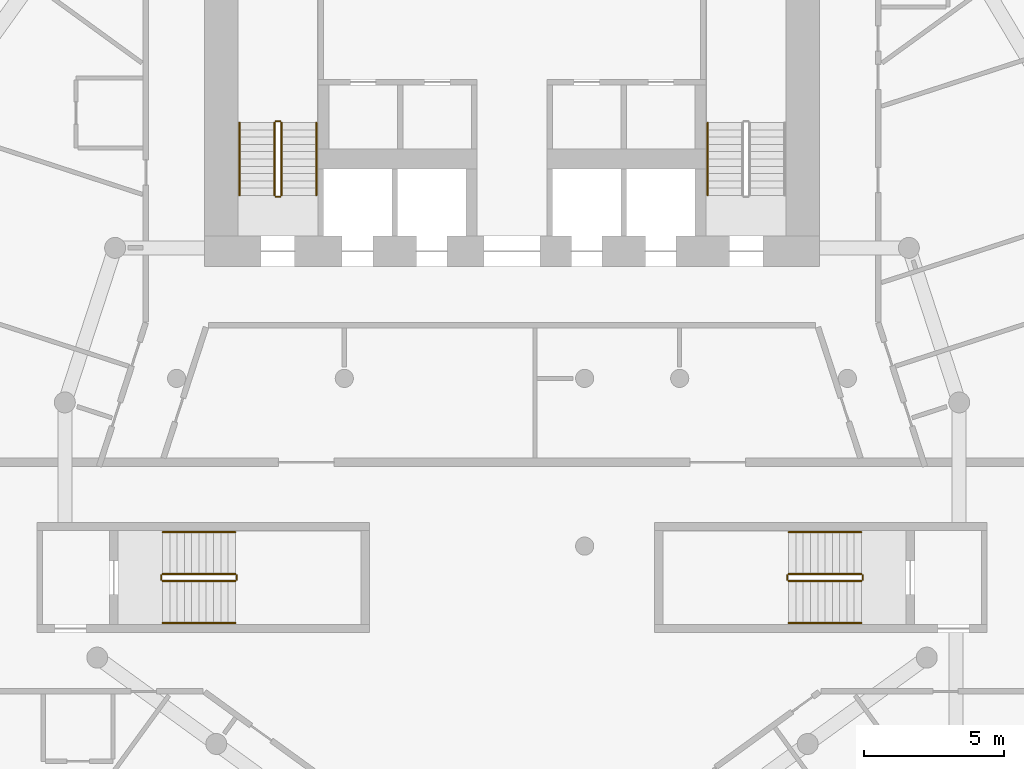
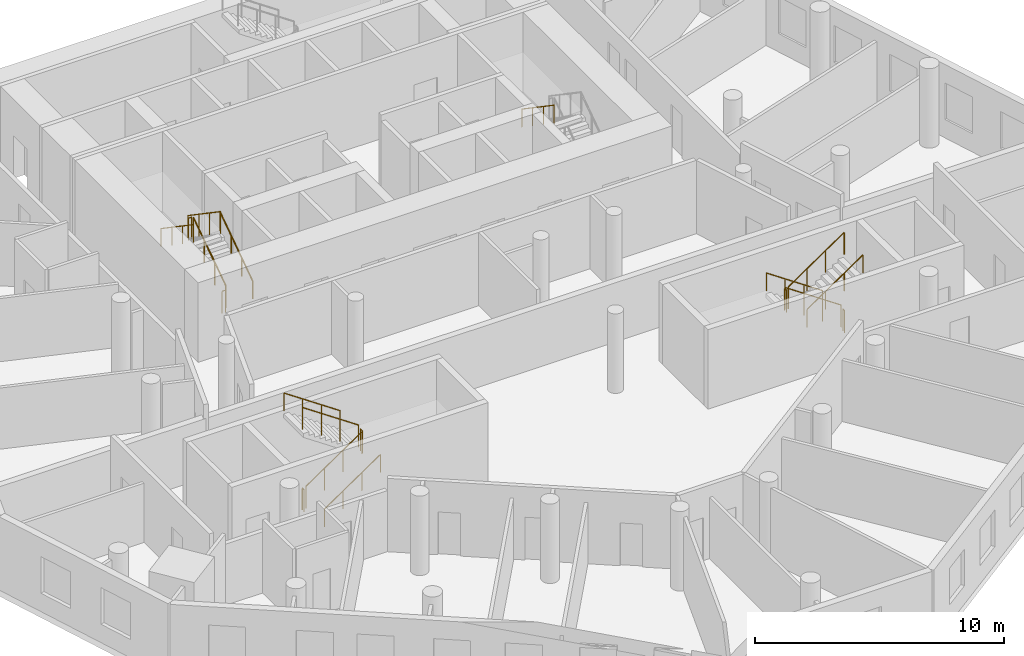
# One storey, part 8 of 9: 19 railings.
"""IFC4 building model written with IfcOpenShell, lengths in metres."""

import ifcopenshell
import ifcopenshell.guid

model = None  # the IFC model being written
_history = None  # IfcOwnerHistory: only IFC2X3 demands one
_inside = {}  # id of a spatial element -> (the spatial element, [elements in it])
_under = {}  # id of a project, library or spatial element -> (it, [spatial elements below it])
_declared = {}  # id of a project -> (the project, [libraries it declares])
_typed = {}  # id of a type object -> (the type object, [elements of that type])
_made_of = {}  # id of a material, layer set ... -> (it, [elements and type objects made of it])


def new_model(schema):
    """Start an empty IFC model of exactly this schema.

    Asked for "IFC4X3", IfcOpenShell would pick the latest addendum, in which some entities
    have other attributes; the version numbers below select the first issue.
    IFC2X3 requires an IfcOwnerHistory on every rooted entity: one is made here for all.
    """
    global model, _history
    if schema == "IFC4X3":
        model = ifcopenshell.file(schema_version=(4, 3, 0, 0))
    else:
        model = ifcopenshell.file(schema=schema)
    _inside.clear()
    _under.clear()
    _declared.clear()
    _typed.clear()
    _made_of.clear()
    _history = None
    if model.schema == "IFC2X3":
        org = make("IfcOrganization", Name="unknown")
        user = make(
            "IfcPersonAndOrganization",
            ThePerson=make("IfcPerson", FamilyName="unknown"),
            TheOrganization=org,
        )
        app = make(
            "IfcApplication",
            ApplicationDeveloper=org,
            Version="unknown",
            ApplicationFullName="unknown",
            ApplicationIdentifier="unknown",
        )
        _history = make(
            "IfcOwnerHistory",
            OwningUser=user,
            OwningApplication=app,
            ChangeAction="ADDED",
            CreationDate=0,
        )
    return model


def make(cls, **values):
    """One entity of the class cls with the attributes given. An attribute that is None is left unset."""
    return model.create_entity(
        cls, **{name: value for name, value in values.items() if value is not None}
    )


def rooted(cls, **values):
    """An entity with a GlobalId (a new one), such as an element, a storey or a relation."""
    return make(cls, GlobalId=ifcopenshell.guid.new(), OwnerHistory=_history, **values)


def si_unit(unit_type, name, prefix=None):
    """IfcSIUnit, for example si_unit("LENGTHUNIT", "METRE", prefix="MILLI")."""
    return make("IfcSIUnit", UnitType=unit_type, Prefix=prefix, Name=name)


def assignment(units):
    """IfcUnitAssignment: the units of a project."""
    return None if units is None else make("IfcUnitAssignment", Units=units)


def point(xyz):
    """IfcCartesianPoint."""
    return None if xyz is None else make("IfcCartesianPoint", Coordinates=xyz)


def direction(xyz):
    """IfcDirection."""
    return None if xyz is None else make("IfcDirection", DirectionRatios=xyz)


def frame(location, z_axis=None, x_axis=None):
    """IfcAxis2Placement3D, a coordinate frame: its origin and axes. An axis left out is left unset."""
    return make(
        "IfcAxis2Placement3D",
        Location=point(location),
        Axis=direction(z_axis),
        RefDirection=direction(x_axis),
    )


def frame_2d(location, x_axis=None):
    """IfcAxis2Placement2D, a coordinate frame in the plane: its origin and x axis."""
    return make(
        "IfcAxis2Placement2D", Location=point(location), RefDirection=direction(x_axis)
    )


def origin():
    """The frame at (0, 0, 0) with its axes left unset."""
    return frame((0.0, 0.0, 0.0))


def origin_2d():
    """The frame at (0, 0) in the plane with its x axis left unset."""
    return frame_2d((0.0, 0.0))


def place(relative_to, where):
    """IfcLocalPlacement: puts the frame where relative to a parent placement (None: the world)."""
    return make(
        "IfcLocalPlacement", PlacementRelTo=relative_to, RelativePlacement=where
    )


def context(
    kind, dimensions, precision=None, world=None, true_north=None, identifier=None
):
    """IfcGeometricRepresentationContext, for example the 3D "Model" context."""
    return make(
        "IfcGeometricRepresentationContext",
        ContextIdentifier=identifier,
        ContextType=kind,
        CoordinateSpaceDimension=dimensions,
        Precision=precision,
        WorldCoordinateSystem=world,
        TrueNorth=true_north,
    )


def subcontext(parent, identifier, kind, view, scale=None):
    """IfcGeometricRepresentationSubContext, for example "Body" below "Model"."""
    return make(
        "IfcGeometricRepresentationSubContext",
        ContextIdentifier=identifier,
        ContextType=kind,
        ParentContext=parent,
        TargetScale=scale,
        TargetView=view,
    )


def project(units=None, contexts=None):
    """IfcProject with its units and contexts."""
    return rooted(
        "IfcProject",
        Name="project",
        RepresentationContexts=contexts,
        UnitsInContext=assignment(units),
    )


def spatial(cls, under=None, at=None, **own):
    """A site, building, storey or space (cls), placed at a placement, below another one or the project."""
    s = rooted(cls, ObjectPlacement=at, **own)
    if under is not None:
        _under.setdefault(under.id(), (under, []))[1].append(s)
    return s


def profile(cls, at=None, kind="AREA", **sizes):
    """A parametric profile (cls). Its sizes go by their IFC names, for example OverallWidth=200.0."""
    return make(cls, ProfileType=kind, Position=at, **sizes)


def circle(**sizes):
    """IfcCircleProfileDef."""
    return profile("IfcCircleProfileDef", **sizes)


def extrude(swept, where, along, depth):
    """IfcExtrudedAreaSolid: the profile swept, set in the frame where, extruded along a direction by depth."""
    return make(
        "IfcExtrudedAreaSolid",
        SweptArea=swept,
        Position=where,
        ExtrudedDirection=direction(along),
        Depth=depth,
    )


def shape(context_of_items, identifier, shape_type, items):
    """IfcShapeRepresentation: the items that make up one representation, for example the "Body"."""
    return make(
        "IfcShapeRepresentation",
        ContextOfItems=context_of_items,
        RepresentationIdentifier=identifier,
        RepresentationType=shape_type,
        Items=items,
    )


def material(Name=None, Category=None):
    """IfcMaterial."""
    return make("IfcMaterial", Name=Name, Category=Category)


def made_of(thing, what):
    """Note that an element or type object is made of a material, layer set ...; save() writes the relation."""
    if what is not None:
        _made_of.setdefault(what.id(), (what, []))[1].append(thing)
    return thing


def type_object(cls, material=None, **own):
    """A type object (cls), such as IfcWallType, which elements share."""
    return made_of(rooted(cls, **own), material)


def element(
    cls,
    number,
    at=None,
    inside=None,
    cuts=None,
    type_object=None,
    material=None,
    context=None,
    identifier="Body",
    shape_type=None,
    held_by="IfcProductDefinitionShape",
    body=None,
    shapes=None,
    **own,
):
    """One element of the class cls, such as IfcWall. Its Tag is "e" and its number.

    at: its placement. inside: the storey or other place that contains it. cuts: it is an
    opening in that element (IfcRelVoidsElement). A single representation is given by context,
    identifier, shape_type and body (its items); several are given by shapes. held_by: the class
    of the entity that holds the representations. save() writes the other relations.
    """
    e = rooted(cls, Tag="e%d" % number, ObjectPlacement=at, **own)
    if body is not None:
        shapes = [shape(context, identifier, shape_type, body)]
    if shapes is not None:
        e.Representation = make(held_by, Representations=shapes)
    if inside is not None:
        _inside.setdefault(inside.id(), (inside, []))[1].append(e)
    if cuts is not None:
        rooted(
            "IfcRelVoidsElement", RelatingBuildingElement=cuts, RelatedOpeningElement=e
        )
    if type_object is not None:
        _typed.setdefault(type_object.id(), (type_object, []))[1].append(e)
    return made_of(e, material)


def aggregate(whole, parts):
    """IfcRelAggregates: a whole, such as a stair, and the parts it consists of."""
    return rooted("IfcRelAggregates", RelatingObject=whole, RelatedObjects=parts)


def save(model, path):
    """Write the relations noted so far, then the file.

    IfcRelAggregates (storeys below a building ...), IfcRelContainedInSpatialStructure (elements
    in a storey), IfcRelDefinesByType, IfcRelAssociatesMaterial and IfcRelDeclares: one each for
    every whole, place, type object, material and project.
    """
    for whole, parts in _under.values():
        aggregate(whole, parts)
    for where, things in _inside.values():
        rooted(
            "IfcRelContainedInSpatialStructure",
            RelatedElements=things,
            RelatingStructure=where,
        )
    for kind, things in _typed.values():
        rooted("IfcRelDefinesByType", RelatedObjects=things, RelatingType=kind)
    for what, things in _made_of.values():
        rooted("IfcRelAssociatesMaterial", RelatedObjects=things, RelatingMaterial=what)
    for by, libraries in _declared.values():
        rooted("IfcRelDeclares", RelatingContext=by, RelatedDefinitions=libraries)
    model.write(path)


model = new_model("IFC4")

# Units and contexts
model_context = context("Model", 3, precision=1e-05, world=origin(), true_north=direction((0.0, 1.0)))
body_context = subcontext(model_context, "Body", "Model", "MODEL_VIEW")
ifc_project = project(units=[si_unit("LENGTHUNIT", "METRE"), si_unit("AREAUNIT", "SQUARE_METRE"), si_unit("VOLUMEUNIT", "CUBIC_METRE"), si_unit("PLANEANGLEUNIT", "RADIAN"), si_unit("MASSUNIT", "GRAM", prefix="KILO")], contexts=[model_context])

# Site, building, storey
site_placement = place(None, origin())
site = spatial("IfcSite", under=ifc_project, at=site_placement, CompositionType="ELEMENT")
building_placement = place(site_placement, origin())
building = spatial("IfcBuilding", under=site, at=building_placement, Name="White Candle Pilgrim Tower", CompositionType="ELEMENT")
storey_placement = place(building_placement, frame((0.0, 0.0, 98.60009765625)))
storey = spatial("IfcBuildingStorey", under=building, at=storey_placement, Name="L21", CompositionType="ELEMENT", Elevation=98.60009765625)

# Railings
ifc_material = material(Name="Stainless steel", Category="steel")
railing_type_1 = type_object("IfcRailingType", Name="Stair guard stainless steel 1100 mm", PredefinedType="GUARDRAIL", material=ifc_material)
railing_1_placement = place(storey_placement, frame((61.75, 73.550048828125, 0.17724609375)))
element("IfcRailing", 1, at=railing_1_placement, inside=storey, type_object=railing_type_1, Name="L21 ST1 stair guard 1", PredefinedType="GUARDRAIL", context=body_context, shape_type="SweptSolid", body=[
    extrude(circle(Radius=0.02392578125, at=origin_2d()), frame((0.0, 0.0, 1.076171875), z_axis=(0.0, 0.826215852431, 0.563353676824), x_axis=(-1.0, 0.0, 0.0)), (0.0, 0.0, 1.0), 3.146728515625),
    extrude(circle(Radius=0.02099609375, at=origin_2d()), origin(), (0.0, 0.0, 1.0), 1.052001953125),
    extrude(circle(Radius=0.02099609375, at=origin_2d()), frame((0.0, 0.86669921875, 0.5908203125)), (0.0, 0.0, 1.0), 1.052001953125),
    extrude(circle(Radius=0.02099609375, at=origin_2d()), frame((0.0, 1.733154296875, 1.181884765625)), (0.0, 0.0, 1.0), 1.052001953125),
    extrude(circle(Radius=0.02099609375, at=origin_2d()), frame((0.0, 2.599853515625, 1.772705078125)), (0.0, 0.0, 1.0), 1.052001953125),
])
railing_2_placement = place(storey_placement, frame((61.699951171875, 76.199951171875, 1.949951171875)))
element("IfcRailing", 2, at=railing_2_placement, inside=storey, type_object=railing_type_1, Name="L21 ST1 stair guard 2", PredefinedType="GUARDRAIL", context=body_context, shape_type="SweptSolid", body=[
    extrude(circle(Radius=0.02392578125, at=origin_2d()), frame((0.0, 0.0, 1.076171875), z_axis=(-1.0, 0.0, 0.0), x_axis=(0.0, -1.0, 0.0)), (0.0, 0.0, 1.0), 0.14990234375),
    extrude(circle(Radius=0.02099609375, at=origin_2d()), origin(), (0.0, 0.0, 1.0), 1.052001953125),
    extrude(circle(Radius=0.02099609375, at=origin_2d()), frame((-0.14990234375, 0.0, 0.0)), (0.0, 0.0, 1.0), 1.052001953125),
])
railing_3_placement = place(storey_placement, frame((61.5, 76.14990234375, 2.127197265625)))
element("IfcRailing", 3, at=railing_3_placement, inside=storey, type_object=railing_type_1, Name="L21 ST1 stair guard 3", PredefinedType="GUARDRAIL", context=body_context, shape_type="SweptSolid", body=[
    extrude(circle(Radius=0.02392578125, at=origin_2d()), frame((0.0, 0.0, 1.076171875), z_axis=(0.0, -0.826215852431, 0.563353676824), x_axis=(1.0, 0.0, 0.0)), (0.0, 0.0, 1.0), 3.146728515625),
    extrude(circle(Radius=0.02099609375, at=origin_2d()), origin(), (0.0, 0.0, 1.0), 1.052001953125),
    extrude(circle(Radius=0.02099609375, at=origin_2d()), frame((0.0, -0.86669921875, 0.5908203125)), (0.0, 0.0, 1.0), 1.052001953125),
    extrude(circle(Radius=0.02099609375, at=origin_2d()), frame((0.0, -1.733154296875, 1.181884765625)), (0.0, 0.0, 1.0), 1.052001953125),
    extrude(circle(Radius=0.02099609375, at=origin_2d()), frame((0.0, -2.599853515625, 1.772705078125)), (0.0, 0.0, 1.0), 1.052001953125),
])
railing_4_placement = place(storey_placement, frame((61.699951171875, 73.5, 0.0)))
element("IfcRailing", 4, at=railing_4_placement, inside=storey, type_object=railing_type_1, Name="L21 ST1 stair guard 4", PredefinedType="GUARDRAIL", context=body_context, shape_type="SweptSolid", body=[
    extrude(circle(Radius=0.02392578125, at=origin_2d()), frame((0.0, 0.0, 1.076171875), z_axis=(-1.0, 0.0, 0.0), x_axis=(0.0, -1.0, 0.0)), (0.0, 0.0, 1.0), 0.14990234375),
    extrude(circle(Radius=0.02099609375, at=origin_2d()), origin(), (0.0, 0.0, 1.0), 1.052001953125),
    extrude(circle(Radius=0.02099609375, at=origin_2d()), frame((-0.14990234375, 0.0, 0.0)), (0.0, 0.0, 1.0), 1.052001953125),
])
railing_5_placement = place(storey_placement, frame((82.5, 60.0, 0.17724609375)))
element("IfcRailing", 5, at=railing_5_placement, inside=storey, type_object=railing_type_1, Name="L21 ST4 stair guard 1", PredefinedType="GUARDRAIL", context=body_context, shape_type="SweptSolid", body=[
    extrude(circle(Radius=0.02392578125, at=origin_2d()), frame((0.0, 0.0, 1.076171875), z_axis=(-0.826240473404, 0.0, 0.563317565952), x_axis=(0.0, -1.0, 0.0)), (0.0, 0.0, 1.0), 3.14697265625),
    extrude(circle(Radius=0.02099609375, at=origin_2d()), origin(), (0.0, 0.0, 1.0), 1.052001953125),
    extrude(circle(Radius=0.02099609375, at=origin_2d()), frame((-0.86669921875, 0.0, 0.5908203125)), (0.0, 0.0, 1.0), 1.052001953125),
    extrude(circle(Radius=0.02099609375, at=origin_2d()), frame((-1.7333984375, 0.0, 1.181884765625)), (0.0, 0.0, 1.0), 1.052001953125),
    extrude(circle(Radius=0.02099609375, at=origin_2d()), frame((-2.60009765625, 0.0, 1.772705078125)), (0.0, 0.0, 1.0), 1.052001953125),
])
railing_6_placement = place(storey_placement, frame((79.85009765625, 59.949951171875, 1.949951171875)))
element("IfcRailing", 6, at=railing_6_placement, inside=storey, type_object=railing_type_1, Name="L21 ST4 stair guard 2", PredefinedType="GUARDRAIL", context=body_context, shape_type="SweptSolid", body=[
    extrude(circle(Radius=0.02392578125, at=origin_2d()), frame((0.0, 0.0, 1.076171875), z_axis=(0.0, -1.0, 0.0), x_axis=(1.0, 0.0, 0.0)), (0.0, 0.0, 1.0), 0.14990234375),
    extrude(circle(Radius=0.02099609375, at=origin_2d()), origin(), (0.0, 0.0, 1.0), 1.052001953125),
    extrude(circle(Radius=0.02099609375, at=origin_2d()), frame((0.0, -0.14990234375, 0.0)), (0.0, 0.0, 1.0), 1.052001953125),
])
railing_7_placement = place(storey_placement, frame((79.89990234375, 59.75, 2.127197265625)))
element("IfcRailing", 7, at=railing_7_placement, inside=storey, type_object=railing_type_1, Name="L21 ST4 stair guard 3", PredefinedType="GUARDRAIL", context=body_context, shape_type="SweptSolid", body=[
    extrude(circle(Radius=0.02392578125, at=origin_2d()), frame((0.0, 0.0, 1.076171875), z_axis=(0.826240473404, 0.0, 0.563317565952), x_axis=(0.0, 1.0, 0.0)), (0.0, 0.0, 1.0), 3.14697265625),
    extrude(circle(Radius=0.02099609375, at=origin_2d()), origin(), (0.0, 0.0, 1.0), 1.052001953125),
    extrude(circle(Radius=0.02099609375, at=origin_2d()), frame((0.86669921875, 0.0, 0.5908203125)), (0.0, 0.0, 1.0), 1.052001953125),
    extrude(circle(Radius=0.02099609375, at=origin_2d()), frame((1.7333984375, 0.0, 1.181884765625)), (0.0, 0.0, 1.0), 1.052001953125),
    extrude(circle(Radius=0.02099609375, at=origin_2d()), frame((2.60009765625, 0.0, 1.772705078125)), (0.0, 0.0, 1.0), 1.052001953125),
])
railing_8_placement = place(storey_placement, frame((82.550048828125, 59.949951171875, 0.0)))
element("IfcRailing", 8, at=railing_8_placement, inside=storey, type_object=railing_type_1, Name="L21 ST4 stair guard 4", PredefinedType="GUARDRAIL", context=body_context, shape_type="SweptSolid", body=[
    extrude(circle(Radius=0.02392578125, at=origin_2d()), frame((0.0, 0.0, 1.076171875), z_axis=(0.0, -1.0, 0.0), x_axis=(1.0, 0.0, 0.0)), (0.0, 0.0, 1.0), 0.14990234375),
    extrude(circle(Radius=0.02099609375, at=origin_2d()), origin(), (0.0, 0.0, 1.0), 1.052001953125),
    extrude(circle(Radius=0.02099609375, at=origin_2d()), frame((0.0, -0.14990234375, 0.0)), (0.0, 0.0, 1.0), 1.052001953125),
])
railing_9_placement = place(storey_placement, frame((57.5, 59.75, 0.17724609375)))
element("IfcRailing", 9, at=railing_9_placement, inside=storey, type_object=railing_type_1, Name="L21 ST5 stair guard 1", PredefinedType="GUARDRAIL", context=body_context, shape_type="SweptSolid", body=[
    extrude(circle(Radius=0.02392578125, at=origin_2d()), frame((0.0, 0.0, 1.076171875), z_axis=(0.826240473404, 0.0, 0.563317565952), x_axis=(0.0, 1.0, 0.0)), (0.0, 0.0, 1.0), 3.14697265625),
    extrude(circle(Radius=0.02099609375, at=origin_2d()), origin(), (0.0, 0.0, 1.0), 1.052001953125),
    extrude(circle(Radius=0.02099609375, at=origin_2d()), frame((0.86669921875, 0.0, 0.5908203125)), (0.0, 0.0, 1.0), 1.052001953125),
    extrude(circle(Radius=0.02099609375, at=origin_2d()), frame((1.7333984375, 0.0, 1.181884765625)), (0.0, 0.0, 1.0), 1.052001953125),
    extrude(circle(Radius=0.02099609375, at=origin_2d()), frame((2.60009765625, 0.0, 1.772705078125)), (0.0, 0.0, 1.0), 1.052001953125),
])
railing_10_placement = place(storey_placement, frame((60.14990234375, 59.800048828125, 1.949951171875)))
element("IfcRailing", 10, at=railing_10_placement, inside=storey, type_object=railing_type_1, Name="L21 ST5 stair guard 2", PredefinedType="GUARDRAIL", context=body_context, shape_type="SweptSolid", body=[
    extrude(circle(Radius=0.02392578125, at=origin_2d()), frame((0.0, 0.0, 1.076171875), z_axis=(0.0, 1.0, 0.0), x_axis=(-1.0, 0.0, 0.0)), (0.0, 0.0, 1.0), 0.14990234375),
    extrude(circle(Radius=0.02099609375, at=origin_2d()), origin(), (0.0, 0.0, 1.0), 1.052001953125),
    extrude(circle(Radius=0.02099609375, at=origin_2d()), frame((0.0, 0.14990234375, 0.0)), (0.0, 0.0, 1.0), 1.052001953125),
])
railing_11_placement = place(storey_placement, frame((60.10009765625, 60.0, 2.127197265625)))
element("IfcRailing", 11, at=railing_11_placement, inside=storey, type_object=railing_type_1, Name="L21 ST5 stair guard 3", PredefinedType="GUARDRAIL", context=body_context, shape_type="SweptSolid", body=[
    extrude(circle(Radius=0.02392578125, at=origin_2d()), frame((0.0, 0.0, 1.076171875), z_axis=(-0.826240473404, 0.0, 0.563317565952), x_axis=(0.0, -1.0, 0.0)), (0.0, 0.0, 1.0), 3.14697265625),
    extrude(circle(Radius=0.02099609375, at=origin_2d()), origin(), (0.0, 0.0, 1.0), 1.052001953125),
    extrude(circle(Radius=0.02099609375, at=origin_2d()), frame((-0.86669921875, 0.0, 0.5908203125)), (0.0, 0.0, 1.0), 1.052001953125),
    extrude(circle(Radius=0.02099609375, at=origin_2d()), frame((-1.7333984375, 0.0, 1.181884765625)), (0.0, 0.0, 1.0), 1.052001953125),
    extrude(circle(Radius=0.02099609375, at=origin_2d()), frame((-2.60009765625, 0.0, 1.772705078125)), (0.0, 0.0, 1.0), 1.052001953125),
])
railing_12_placement = place(storey_placement, frame((57.449951171875, 59.800048828125, 0.0)))
element("IfcRailing", 12, at=railing_12_placement, inside=storey, type_object=railing_type_1, Name="L21 ST5 stair guard 4", PredefinedType="GUARDRAIL", context=body_context, shape_type="SweptSolid", body=[
    extrude(circle(Radius=0.02392578125, at=origin_2d()), frame((0.0, 0.0, 1.076171875), z_axis=(0.0, 1.0, 0.0), x_axis=(-1.0, 0.0, 0.0)), (0.0, 0.0, 1.0), 0.14990234375),
    extrude(circle(Radius=0.02099609375, at=origin_2d()), origin(), (0.0, 0.0, 1.0), 1.052001953125),
    extrude(circle(Radius=0.02099609375, at=origin_2d()), frame((0.0, 0.14990234375, 0.0)), (0.0, 0.0, 1.0), 1.052001953125),
])
railing_type_2 = type_object("IfcRailingType", Name="Stair handrail stainless steel", PredefinedType="HANDRAIL", material=ifc_material)
railing_13_placement = place(storey_placement, frame((63.0, 73.550048828125, 0.17724609375)))
element("IfcRailing", 13, at=railing_13_placement, inside=storey, type_object=railing_type_2, Name="L21 ST1 stair handrail 1", PredefinedType="HANDRAIL", context=body_context, shape_type="SweptSolid", body=[
    extrude(circle(Radius=0.02392578125, at=origin_2d()), frame((0.0, 0.0, 0.8759765625), z_axis=(0.0, 0.826215852431, 0.563353676824), x_axis=(-1.0, 0.0, 0.0)), (0.0, 0.0, 1.0), 3.146728515625),
    extrude(circle(Radius=0.02099609375, at=origin_2d()), origin(), (0.0, 0.0, 1.0), 0.851806640625),
    extrude(circle(Radius=0.02099609375, at=origin_2d()), frame((0.0, 0.86669921875, 0.5908203125)), (0.0, 0.0, 1.0), 0.851806640625),
    extrude(circle(Radius=0.02099609375, at=origin_2d()), frame((0.0, 1.733154296875, 1.181884765625)), (0.0, 0.0, 1.0), 0.851806640625),
    extrude(circle(Radius=0.02099609375, at=origin_2d()), frame((0.0, 2.599853515625, 1.772705078125)), (0.0, 0.0, 1.0), 0.851806640625),
])
for number, where, name in (
    (14, (60.25, 76.14990234375, 2.127197265625), "L21 ST1 stair handrail 2"),
    (15, (77.0, 76.14990234375, 2.127197265625), "L21 ST2 stair handrail 2"),
):
    element("IfcRailing", number, at=place(storey_placement, frame(where)), inside=storey, type_object=railing_type_2, Name=name, PredefinedType="HANDRAIL", context=body_context, shape_type="SweptSolid", body=[
        extrude(circle(Radius=0.02392578125, at=origin_2d()), frame((0.0, 0.0, 0.8759765625), z_axis=(0.0, -0.826215852431, 0.563353676824), x_axis=(1.0, 0.0, 0.0)), (0.0, 0.0, 1.0), 3.146728515625),
        extrude(circle(Radius=0.02099609375, at=origin_2d()), origin(), (0.0, 0.0, 1.0), 0.851806640625),
        extrude(circle(Radius=0.02099609375, at=origin_2d()), frame((0.0, -0.86669921875, 0.5908203125)), (0.0, 0.0, 1.0), 0.851806640625),
        extrude(circle(Radius=0.02099609375, at=origin_2d()), frame((0.0, -1.733154296875, 1.181884765625)), (0.0, 0.0, 1.0), 0.851806640625),
        extrude(circle(Radius=0.02099609375, at=origin_2d()), frame((0.0, -2.599853515625, 1.772705078125)), (0.0, 0.0, 1.0), 0.851806640625),
    ])
railing_14_placement = place(storey_placement, frame((82.5, 61.5, 0.17724609375)))
element("IfcRailing", 16, at=railing_14_placement, inside=storey, type_object=railing_type_2, Name="L21 ST4 stair handrail 1", PredefinedType="HANDRAIL", context=body_context, shape_type="SweptSolid", body=[
    extrude(circle(Radius=0.02392578125, at=origin_2d()), frame((0.0, 0.0, 0.8759765625), z_axis=(-0.826240473404, 0.0, 0.563317565952), x_axis=(0.0, -1.0, 0.0)), (0.0, 0.0, 1.0), 3.14697265625),
    extrude(circle(Radius=0.02099609375, at=origin_2d()), origin(), (0.0, 0.0, 1.0), 0.851806640625),
    extrude(circle(Radius=0.02099609375, at=origin_2d()), frame((-0.86669921875, 0.0, 0.5908203125)), (0.0, 0.0, 1.0), 0.851806640625),
    extrude(circle(Radius=0.02099609375, at=origin_2d()), frame((-1.7333984375, 0.0, 1.181884765625)), (0.0, 0.0, 1.0), 0.851806640625),
    extrude(circle(Radius=0.02099609375, at=origin_2d()), frame((-2.60009765625, 0.0, 1.772705078125)), (0.0, 0.0, 1.0), 0.851806640625),
])
for number, where, name in (
    (17, (79.89990234375, 58.25, 2.127197265625), "L21 ST4 stair handrail 2"),
    (18, (57.5, 58.25, 0.17724609375), "L21 ST5 stair handrail 1"),
):
    element("IfcRailing", number, at=place(storey_placement, frame(where)), inside=storey, type_object=railing_type_2, Name=name, PredefinedType="HANDRAIL", context=body_context, shape_type="SweptSolid", body=[
        extrude(circle(Radius=0.02392578125, at=origin_2d()), frame((0.0, 0.0, 0.8759765625), z_axis=(0.826240473404, 0.0, 0.563317565952), x_axis=(0.0, 1.0, 0.0)), (0.0, 0.0, 1.0), 3.14697265625),
        extrude(circle(Radius=0.02099609375, at=origin_2d()), origin(), (0.0, 0.0, 1.0), 0.851806640625),
        extrude(circle(Radius=0.02099609375, at=origin_2d()), frame((0.86669921875, 0.0, 0.5908203125)), (0.0, 0.0, 1.0), 0.851806640625),
        extrude(circle(Radius=0.02099609375, at=origin_2d()), frame((1.7333984375, 0.0, 1.181884765625)), (0.0, 0.0, 1.0), 0.851806640625),
        extrude(circle(Radius=0.02099609375, at=origin_2d()), frame((2.60009765625, 0.0, 1.772705078125)), (0.0, 0.0, 1.0), 0.851806640625),
    ])
railing_15_placement = place(storey_placement, frame((60.10009765625, 61.5, 2.127197265625)))
element("IfcRailing", 19, at=railing_15_placement, inside=storey, type_object=railing_type_2, Name="L21 ST5 stair handrail 2", PredefinedType="HANDRAIL", context=body_context, shape_type="SweptSolid", body=[
    extrude(circle(Radius=0.02392578125, at=origin_2d()), frame((0.0, 0.0, 0.8759765625), z_axis=(-0.826240473404, 0.0, 0.563317565952), x_axis=(0.0, -1.0, 0.0)), (0.0, 0.0, 1.0), 3.14697265625),
    extrude(circle(Radius=0.02099609375, at=origin_2d()), origin(), (0.0, 0.0, 1.0), 0.851806640625),
    extrude(circle(Radius=0.02099609375, at=origin_2d()), frame((-0.86669921875, 0.0, 0.5908203125)), (0.0, 0.0, 1.0), 0.851806640625),
    extrude(circle(Radius=0.02099609375, at=origin_2d()), frame((-1.7333984375, 0.0, 1.181884765625)), (0.0, 0.0, 1.0), 0.851806640625),
    extrude(circle(Radius=0.02099609375, at=origin_2d()), frame((-2.60009765625, 0.0, 1.772705078125)), (0.0, 0.0, 1.0), 0.851806640625),
])

save(model, "model.ifc")
